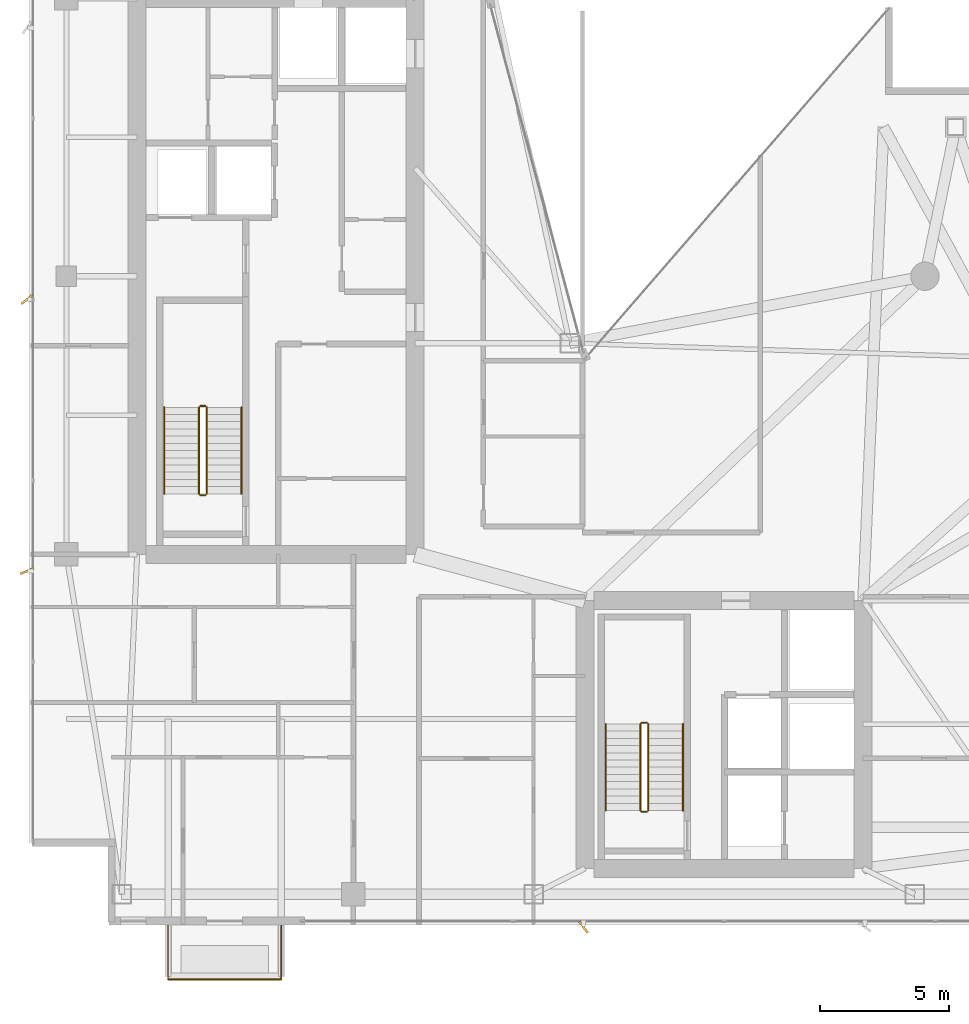
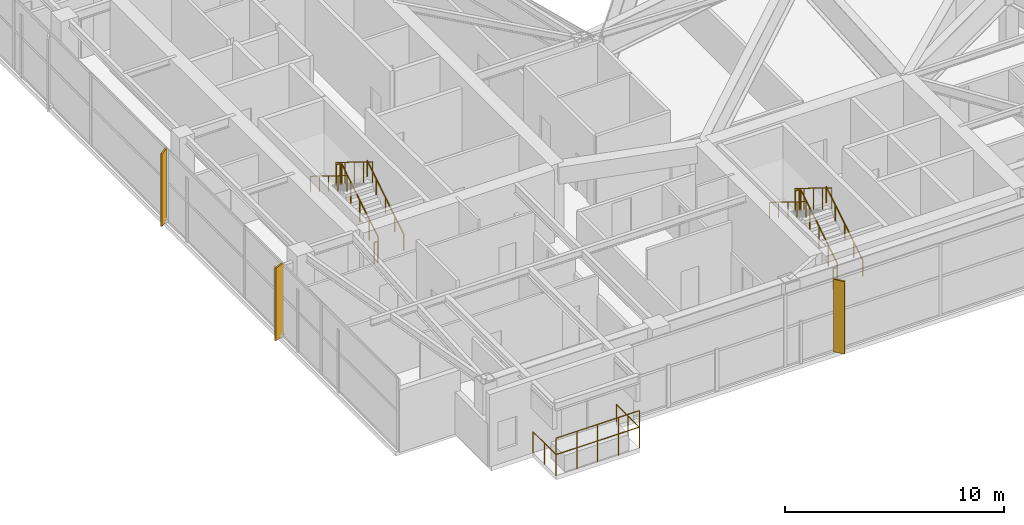
# One storey, part 28 of 29: 14 railings, 3 shading devices.
"""IFC4 building model written with IfcOpenShell, lengths in metres."""

from ifc_helpers import new_model, si_unit, direction, frame, origin, origin_2d, place, context, subcontext, project, spatial, rectangle, circle, extrude, material, type_object, element, save


model = new_model("IFC4")

# Units and contexts
model_context = context("Model", 3, precision=1e-05, world=origin(), true_north=direction((0.0, 1.0)))
body_context = subcontext(model_context, "Body", "Model", "MODEL_VIEW")
ifc_project = project(units=[si_unit("LENGTHUNIT", "METRE"), si_unit("AREAUNIT", "SQUARE_METRE"), si_unit("VOLUMEUNIT", "CUBIC_METRE"), si_unit("PLANEANGLEUNIT", "RADIAN"), si_unit("MASSUNIT", "GRAM", prefix="KILO")], contexts=[model_context])

# Site, building, storey
site_placement = place(None, origin())
site = spatial("IfcSite", under=ifc_project, at=site_placement, CompositionType="ELEMENT")
building_placement = place(site_placement, origin())
building = spatial("IfcBuilding", under=site, at=building_placement, Name="Calvorn Quay Hotel", CompositionType="ELEMENT")
storey_placement = place(building_placement, frame((0.0, 0.0, 259.0)))
storey = spatial("IfcBuildingStorey", under=building, at=storey_placement, Name="L64", CompositionType="ELEMENT", Elevation=259.0)

# Railings
ifc_material_1 = material(Name="Pale Anodised Aluminium and Laminated Glass", Category="aluminium")
railing_type_1 = type_object("IfcRailingType", Name="RLG-BALUSTRADE-1200", PredefinedType="BALUSTRADE", material=ifc_material_1)
railing_1_placement = place(storey_placement, frame((5.39990234375, 2.389892578125, 0.0)))
element("IfcRailing", 1, at=railing_1_placement, inside=storey, type_object=railing_type_1, Name="Tree Balcony Perimeter Balustrade L64-BALC-S", PredefinedType="BALUSTRADE", context=body_context, shape_type="SweptSolid", body=[
    extrude(circle(Radius=0.02392578125, at=origin_2d()), frame((0.0, 0.0, 1.17578125), z_axis=(0.0, -1.0, 0.0), x_axis=(1.0, 0.0, 0.0)), (0.0, 0.0, 1.0), 2.099853515625),
    extrude(circle(Radius=0.02392578125, at=origin_2d()), frame((0.0, -2.099853515625, 1.17578125), z_axis=(1.0, 0.0, 0.0), x_axis=(0.0, 1.0, 0.0)), (0.0, 0.0, 1.0), 4.400146484375),
    extrude(circle(Radius=0.02392578125, at=origin_2d()), frame((4.400146484375, -2.099853515625, 1.17578125), z_axis=(0.0, 1.0, 0.0), x_axis=(-1.0, 0.0, 0.0)), (0.0, 0.0, 1.0), 2.099853515625),
    extrude(circle(Radius=0.02099609375, at=origin_2d()), origin(), (0.0, 0.0, 1.0), 1.15185546875),
    extrude(circle(Radius=0.02099609375, at=origin_2d()), frame((0.0, -1.0498046875, 0.0)), (0.0, 0.0, 1.0), 1.15185546875),
    extrude(circle(Radius=0.02099609375, at=origin_2d()), frame((0.0, -2.099853515625, 0.0)), (0.0, 0.0, 1.0), 1.15185546875),
    extrude(circle(Radius=0.02099609375, at=origin_2d()), frame((1.10009765625, -2.099853515625, 0.0)), (0.0, 0.0, 1.0), 1.15185546875),
    extrude(circle(Radius=0.02099609375, at=origin_2d()), frame((2.2001953125, -2.099853515625, 0.0)), (0.0, 0.0, 1.0), 1.15185546875),
    extrude(circle(Radius=0.02099609375, at=origin_2d()), frame((3.300048828125, -2.099853515625, 0.0)), (0.0, 0.0, 1.0), 1.15185546875),
    extrude(circle(Radius=0.02099609375, at=origin_2d()), frame((4.400146484375, -2.099853515625, 0.0)), (0.0, 0.0, 1.0), 1.15185546875),
    extrude(circle(Radius=0.02099609375, at=origin_2d()), frame((4.400146484375, -1.0498046875, 0.0)), (0.0, 0.0, 1.0), 1.15185546875),
    extrude(circle(Radius=0.02099609375, at=origin_2d()), frame((4.400146484375, 0.0, 0.0)), (0.0, 0.0, 1.0), 1.15185546875),
])
railing_2_placement = place(storey_placement, frame((5.39990234375, 0.2900390625, 0.89990234375)))
element("IfcRailing", 2, at=railing_2_placement, inside=storey, type_object=railing_type_1, Name="Planter Kerb High Safety Screen L64-BALC-S", PredefinedType="BALUSTRADE", context=body_context, shape_type="SweptSolid", body=[
    extrude(circle(Radius=0.02392578125, at=origin_2d()), frame((0.0, 0.0, 1.19580078125), z_axis=(1.0, 0.0, 0.0), x_axis=(0.0, 1.0, 0.0)), (0.0, 0.0, 1.0), 4.400146484375),
    extrude(circle(Radius=0.02099609375, at=origin_2d()), origin(), (0.0, 0.0, 1.0), 1.171875),
    extrude(circle(Radius=0.02099609375, at=origin_2d()), frame((1.10009765625, 0.0, 0.0)), (0.0, 0.0, 1.0), 1.171875),
    extrude(circle(Radius=0.02099609375, at=origin_2d()), frame((2.2001953125, 0.0, 0.0)), (0.0, 0.0, 1.0), 1.171875),
    extrude(circle(Radius=0.02099609375, at=origin_2d()), frame((3.300048828125, 0.0, 0.0)), (0.0, 0.0, 1.0), 1.171875),
    extrude(circle(Radius=0.02099609375, at=origin_2d()), frame((4.400146484375, 0.0, 0.0)), (0.0, 0.0, 1.0), 1.171875),
])
ifc_material_2 = material(Name="Brushed Stainless Steel Handrail", Category="steel")
railing_type_2 = type_object("IfcRailingType", Name="RLG-HANDRAIL-900", PredefinedType="HANDRAIL", material=ifc_material_2)
railing_3_placement = place(storey_placement, frame((8.25, 19.14990234375, 0.173095703125)))
element("IfcRailing", 3, at=railing_3_placement, inside=storey, type_object=railing_type_2, Name="L64 ST-W stair handrail 1", PredefinedType="HANDRAIL", context=body_context, shape_type="SweptSolid", body=[
    extrude(circle(Radius=0.02392578125, at=origin_2d()), frame((0.0, 0.0, 0.8759765625), z_axis=(0.0, 0.850623216509, 0.525775754039), x_axis=(-1.0, 0.0, 0.0)), (0.0, 0.0, 1.0), 3.9501953125),
    extrude(circle(Radius=0.02099609375, at=origin_2d()), origin(), (0.0, 0.0, 1.0), 0.851806640625),
    extrude(circle(Radius=0.02099609375, at=origin_2d()), frame((0.0, 0.840087890625, 0.519287109375)), (0.0, 0.0, 1.0), 0.851806640625),
    extrude(circle(Radius=0.02099609375, at=origin_2d()), frame((0.0, 1.68017578125, 1.03857421875)), (0.0, 0.0, 1.0), 0.851806640625),
    extrude(circle(Radius=0.02099609375, at=origin_2d()), frame((0.0, 2.52001953125, 1.5576171875)), (0.0, 0.0, 1.0), 0.851806640625),
    extrude(circle(Radius=0.02099609375, at=origin_2d()), frame((0.0, 3.360107421875, 2.076904296875)), (0.0, 0.0, 1.0), 0.851806640625),
])
railing_4_placement = place(storey_placement, frame((5.25, 22.510009765625, 2.423095703125)))
element("IfcRailing", 4, at=railing_4_placement, inside=storey, type_object=railing_type_2, Name="L64 ST-W stair handrail 2", PredefinedType="HANDRAIL", context=body_context, shape_type="SweptSolid", body=[
    extrude(circle(Radius=0.02392578125, at=origin_2d()), frame((0.0, 0.0, 0.8759765625), z_axis=(0.0, -0.850623216509, 0.525775754039), x_axis=(1.0, 0.0, 0.0)), (0.0, 0.0, 1.0), 3.9501953125),
    extrude(circle(Radius=0.02099609375, at=origin_2d()), origin(), (0.0, 0.0, 1.0), 0.851806640625),
    extrude(circle(Radius=0.02099609375, at=origin_2d()), frame((0.0, -0.840087890625, 0.519287109375)), (0.0, 0.0, 1.0), 0.851806640625),
    extrude(circle(Radius=0.02099609375, at=origin_2d()), frame((0.0, -1.68017578125, 1.03857421875)), (0.0, 0.0, 1.0), 0.851806640625),
    extrude(circle(Radius=0.02099609375, at=origin_2d()), frame((0.0, -2.52001953125, 1.5576171875)), (0.0, 0.0, 1.0), 0.851806640625),
    extrude(circle(Radius=0.02099609375, at=origin_2d()), frame((0.0, -3.360107421875, 2.076904296875)), (0.0, 0.0, 1.0), 0.851806640625),
])
railing_5_placement = place(storey_placement, frame((25.39990234375, 6.85009765625, 0.173095703125)))
element("IfcRailing", 5, at=railing_5_placement, inside=storey, type_object=railing_type_2, Name="L64 ST-E stair handrail 1", PredefinedType="HANDRAIL", context=body_context, shape_type="SweptSolid", body=[
    extrude(circle(Radius=0.02392578125, at=origin_2d()), frame((0.0, 0.0, 0.8759765625), z_axis=(0.0, 0.850606129759, 0.525803396734), x_axis=(-1.0, 0.0, 0.0)), (0.0, 0.0, 1.0), 3.949951171875),
    extrude(circle(Radius=0.02099609375, at=origin_2d()), origin(), (0.0, 0.0, 1.0), 0.851806640625),
    extrude(circle(Radius=0.02099609375, at=origin_2d()), frame((0.0, 0.83984375, 0.519287109375)), (0.0, 0.0, 1.0), 0.851806640625),
    extrude(circle(Radius=0.02099609375, at=origin_2d()), frame((0.0, 1.679931640625, 1.03857421875)), (0.0, 0.0, 1.0), 0.851806640625),
    extrude(circle(Radius=0.02099609375, at=origin_2d()), frame((0.0, 2.52001953125, 1.5576171875)), (0.0, 0.0, 1.0), 0.851806640625),
    extrude(circle(Radius=0.02099609375, at=origin_2d()), frame((0.0, 3.35986328125, 2.076904296875)), (0.0, 0.0, 1.0), 0.851806640625),
])
railing_6_placement = place(storey_placement, frame((22.39990234375, 10.2099609375, 2.423095703125)))
element("IfcRailing", 6, at=railing_6_placement, inside=storey, type_object=railing_type_2, Name="L64 ST-E stair handrail 2", PredefinedType="HANDRAIL", context=body_context, shape_type="SweptSolid", body=[
    extrude(circle(Radius=0.02392578125, at=origin_2d()), frame((0.0, 0.0, 0.8759765625), z_axis=(0.0, -0.850606129759, 0.525803396734), x_axis=(1.0, 0.0, 0.0)), (0.0, 0.0, 1.0), 3.949951171875),
    extrude(circle(Radius=0.02099609375, at=origin_2d()), origin(), (0.0, 0.0, 1.0), 0.851806640625),
    extrude(circle(Radius=0.02099609375, at=origin_2d()), frame((0.0, -0.83984375, 0.519287109375)), (0.0, 0.0, 1.0), 0.851806640625),
    extrude(circle(Radius=0.02099609375, at=origin_2d()), frame((0.0, -1.679931640625, 1.03857421875)), (0.0, 0.0, 1.0), 0.851806640625),
    extrude(circle(Radius=0.02099609375, at=origin_2d()), frame((0.0, -2.52001953125, 1.5576171875)), (0.0, 0.0, 1.0), 0.851806640625),
    extrude(circle(Radius=0.02099609375, at=origin_2d()), frame((0.0, -3.35986328125, 2.076904296875)), (0.0, 0.0, 1.0), 0.851806640625),
])
ifc_material_3 = material(Name="Painted Galvanised Steel Balustrade", Category="steel")
railing_type_3 = type_object("IfcRailingType", Name="RLG-STAIR-GUARD-1120", PredefinedType="GUARDRAIL", material=ifc_material_3)
railing_7_placement = place(storey_placement, frame((6.89990234375, 19.14990234375, 0.173095703125)))
element("IfcRailing", 7, at=railing_7_placement, inside=storey, type_object=railing_type_3, Name="L64 ST-W stair guard 1", PredefinedType="GUARDRAIL", context=body_context, shape_type="SweptSolid", body=[
    extrude(circle(Radius=0.02392578125, at=origin_2d()), frame((0.0, 0.0, 1.17578125), z_axis=(0.0, 0.850623216509, 0.525775754039), x_axis=(-1.0, 0.0, 0.0)), (0.0, 0.0, 1.0), 3.9501953125),
    extrude(circle(Radius=0.02099609375, at=origin_2d()), origin(), (0.0, 0.0, 1.0), 1.15185546875),
    extrude(circle(Radius=0.02099609375, at=origin_2d()), frame((0.0, 0.840087890625, 0.519287109375)), (0.0, 0.0, 1.0), 1.15185546875),
    extrude(circle(Radius=0.02099609375, at=origin_2d()), frame((0.0, 1.68017578125, 1.03857421875)), (0.0, 0.0, 1.0), 1.15185546875),
    extrude(circle(Radius=0.02099609375, at=origin_2d()), frame((0.0, 2.52001953125, 1.5576171875)), (0.0, 0.0, 1.0), 1.15185546875),
    extrude(circle(Radius=0.02099609375, at=origin_2d()), frame((0.0, 3.360107421875, 2.076904296875)), (0.0, 0.0, 1.0), 1.15185546875),
])
railing_8_placement = place(storey_placement, frame((6.85009765625, 22.56005859375, 2.25)))
element("IfcRailing", 8, at=railing_8_placement, inside=storey, type_object=railing_type_3, Name="L64 ST-W stair guard 2", PredefinedType="GUARDRAIL", context=body_context, shape_type="SweptSolid", body=[
    extrude(circle(Radius=0.02392578125, at=origin_2d()), frame((0.0, 0.0, 1.17578125), z_axis=(-1.0, 0.0, 0.0), x_axis=(0.0, -1.0, 0.0)), (0.0, 0.0, 1.0), 0.2001953125),
    extrude(circle(Radius=0.02099609375, at=origin_2d()), origin(), (0.0, 0.0, 1.0), 1.15185546875),
    extrude(circle(Radius=0.02099609375, at=origin_2d()), frame((-0.2001953125, 0.0, 0.0)), (0.0, 0.0, 1.0), 1.15185546875),
])
railing_9_placement = place(storey_placement, frame((6.60009765625, 22.510009765625, 2.423095703125)))
element("IfcRailing", 9, at=railing_9_placement, inside=storey, type_object=railing_type_3, Name="L64 ST-W stair guard 3", PredefinedType="GUARDRAIL", context=body_context, shape_type="SweptSolid", body=[
    extrude(circle(Radius=0.02392578125, at=origin_2d()), frame((0.0, 0.0, 1.17578125), z_axis=(0.0, -0.850623216509, 0.525775754039), x_axis=(1.0, 0.0, 0.0)), (0.0, 0.0, 1.0), 3.9501953125),
    extrude(circle(Radius=0.02099609375, at=origin_2d()), origin(), (0.0, 0.0, 1.0), 1.15185546875),
    extrude(circle(Radius=0.02099609375, at=origin_2d()), frame((0.0, -0.840087890625, 0.519287109375)), (0.0, 0.0, 1.0), 1.15185546875),
    extrude(circle(Radius=0.02099609375, at=origin_2d()), frame((0.0, -1.68017578125, 1.03857421875)), (0.0, 0.0, 1.0), 1.15185546875),
    extrude(circle(Radius=0.02099609375, at=origin_2d()), frame((0.0, -2.52001953125, 1.5576171875)), (0.0, 0.0, 1.0), 1.15185546875),
    extrude(circle(Radius=0.02099609375, at=origin_2d()), frame((0.0, -3.360107421875, 2.076904296875)), (0.0, 0.0, 1.0), 1.15185546875),
])
railing_10_placement = place(storey_placement, frame((6.85009765625, 19.10009765625, 0.0)))
element("IfcRailing", 10, at=railing_10_placement, inside=storey, type_object=railing_type_3, Name="L64 ST-W stair guard 4", PredefinedType="GUARDRAIL", context=body_context, shape_type="SweptSolid", body=[
    extrude(circle(Radius=0.02392578125, at=origin_2d()), frame((0.0, 0.0, 1.17578125), z_axis=(-1.0, 0.0, 0.0), x_axis=(0.0, -1.0, 0.0)), (0.0, 0.0, 1.0), 0.2001953125),
    extrude(circle(Radius=0.02099609375, at=origin_2d()), origin(), (0.0, 0.0, 1.0), 1.15185546875),
    extrude(circle(Radius=0.02099609375, at=origin_2d()), frame((-0.2001953125, 0.0, 0.0)), (0.0, 0.0, 1.0), 1.15185546875),
])
railing_11_placement = place(storey_placement, frame((24.050048828125, 6.85009765625, 0.173095703125)))
element("IfcRailing", 11, at=railing_11_placement, inside=storey, type_object=railing_type_3, Name="L64 ST-E stair guard 1", PredefinedType="GUARDRAIL", context=body_context, shape_type="SweptSolid", body=[
    extrude(circle(Radius=0.02392578125, at=origin_2d()), frame((0.0, 0.0, 1.17578125), z_axis=(0.0, 0.850606129759, 0.525803396734), x_axis=(-1.0, 0.0, 0.0)), (0.0, 0.0, 1.0), 3.949951171875),
    extrude(circle(Radius=0.02099609375, at=origin_2d()), origin(), (0.0, 0.0, 1.0), 1.15185546875),
    extrude(circle(Radius=0.02099609375, at=origin_2d()), frame((0.0, 0.83984375, 0.519287109375)), (0.0, 0.0, 1.0), 1.15185546875),
    extrude(circle(Radius=0.02099609375, at=origin_2d()), frame((0.0, 1.679931640625, 1.03857421875)), (0.0, 0.0, 1.0), 1.15185546875),
    extrude(circle(Radius=0.02099609375, at=origin_2d()), frame((0.0, 2.52001953125, 1.5576171875)), (0.0, 0.0, 1.0), 1.15185546875),
    extrude(circle(Radius=0.02099609375, at=origin_2d()), frame((0.0, 3.35986328125, 2.076904296875)), (0.0, 0.0, 1.0), 1.15185546875),
])
railing_12_placement = place(storey_placement, frame((24.0, 10.260009765625, 2.25)))
element("IfcRailing", 12, at=railing_12_placement, inside=storey, type_object=railing_type_3, Name="L64 ST-E stair guard 2", PredefinedType="GUARDRAIL", context=body_context, shape_type="SweptSolid", body=[
    extrude(circle(Radius=0.02392578125, at=origin_2d()), frame((0.0, 0.0, 1.17578125), z_axis=(-1.0, 0.0, 0.0), x_axis=(0.0, -1.0, 0.0)), (0.0, 0.0, 1.0), 0.199951171875),
    extrude(circle(Radius=0.02099609375, at=origin_2d()), origin(), (0.0, 0.0, 1.0), 1.15185546875),
    extrude(circle(Radius=0.02099609375, at=origin_2d()), frame((-0.199951171875, 0.0, 0.0)), (0.0, 0.0, 1.0), 1.15185546875),
])
railing_13_placement = place(storey_placement, frame((23.75, 10.2099609375, 2.423095703125)))
element("IfcRailing", 13, at=railing_13_placement, inside=storey, type_object=railing_type_3, Name="L64 ST-E stair guard 3", PredefinedType="GUARDRAIL", context=body_context, shape_type="SweptSolid", body=[
    extrude(circle(Radius=0.02392578125, at=origin_2d()), frame((0.0, 0.0, 1.17578125), z_axis=(0.0, -0.850606129759, 0.525803396734), x_axis=(1.0, 0.0, 0.0)), (0.0, 0.0, 1.0), 3.949951171875),
    extrude(circle(Radius=0.02099609375, at=origin_2d()), origin(), (0.0, 0.0, 1.0), 1.15185546875),
    extrude(circle(Radius=0.02099609375, at=origin_2d()), frame((0.0, -0.83984375, 0.519287109375)), (0.0, 0.0, 1.0), 1.15185546875),
    extrude(circle(Radius=0.02099609375, at=origin_2d()), frame((0.0, -1.679931640625, 1.03857421875)), (0.0, 0.0, 1.0), 1.15185546875),
    extrude(circle(Radius=0.02099609375, at=origin_2d()), frame((0.0, -2.52001953125, 1.5576171875)), (0.0, 0.0, 1.0), 1.15185546875),
    extrude(circle(Radius=0.02099609375, at=origin_2d()), frame((0.0, -3.35986328125, 2.076904296875)), (0.0, 0.0, 1.0), 1.15185546875),
])
railing_14_placement = place(storey_placement, frame((24.0, 6.800048828125, 0.0)))
element("IfcRailing", 14, at=railing_14_placement, inside=storey, type_object=railing_type_3, Name="L64 ST-E stair guard 4", PredefinedType="GUARDRAIL", context=body_context, shape_type="SweptSolid", body=[
    extrude(circle(Radius=0.02392578125, at=origin_2d()), frame((0.0, 0.0, 1.17578125), z_axis=(-1.0, 0.0, 0.0), x_axis=(0.0, -1.0, 0.0)), (0.0, 0.0, 1.0), 0.199951171875),
    extrude(circle(Radius=0.02099609375, at=origin_2d()), origin(), (0.0, 0.0, 1.0), 1.15185546875),
    extrude(circle(Radius=0.02099609375, at=origin_2d()), frame((-0.199951171875, 0.0, 0.0)), (0.0, 0.0, 1.0), 1.15185546875),
])

# Shading devices
ifc_material_4 = material(Name="Champagne Bronze Anodised Aluminium 6063-T6", Category="aluminium")
shading_device_type_1 = type_object("IfcShadingDeviceType", Name="SHD-FIN-A1", PredefinedType="USERDEFINED", material=ifc_material_4)
shading_device_placement = place(storey_placement, frame((-0.080078125, 16.14990234375, 0.0), z_axis=(0.0, 0.0, 1.0), x_axis=(0.927183854567, 0.374606593416, 0.0)))
element("IfcShadingDevice", 15, at=shading_device_placement, inside=storey, type_object=shading_device_type_1, Name="Diagonal Sun-Shading Fin L64-W01", ObjectType="FIN", PredefinedType="USERDEFINED", context=body_context, shape_type="SweptSolid", body=[
    extrude(rectangle(XDim=0.550048828125, YDim=0.080078125, at=origin_2d()), origin(), (0.0, 0.0, 1.0), 4.050048828125),
])
ifc_material_5 = material(Name="Champagne Bronze Anodised Aluminium 6063-T6", Category="aluminium")
shading_device_type_2 = type_object("IfcShadingDeviceType", Name="SHD-FIN-A2", PredefinedType="USERDEFINED", material=ifc_material_5)
for number, where, z_axis, x_axis, name in (
    (16, (-0.080078125, 26.699951171875, 0.0), (0.0, 0.0, 1.0), (0.788010753607, 0.615661475326, 0.0), "Diagonal Sun-Shading Fin L64-W02"),
    (17, (21.532958984375, 2.320068359375, 0.0), (0.0, 0.0, 1.0), (-0.615661475326, 0.788010753607, 0.0), "Diagonal Sun-Shading Fin L64-S01"),
):
    element("IfcShadingDevice", number, at=place(storey_placement, frame(where, z_axis=z_axis, x_axis=x_axis)), inside=storey, type_object=shading_device_type_2, Name=name, ObjectType="FIN", PredefinedType="USERDEFINED", context=body_context, shape_type="SweptSolid", body=[
        extrude(rectangle(XDim=0.550048828125, YDim=0.080078125, at=origin_2d()), origin(), (0.0, 0.0, 1.0), 4.050048828125),
    ])

save(model, "model.ifc")
